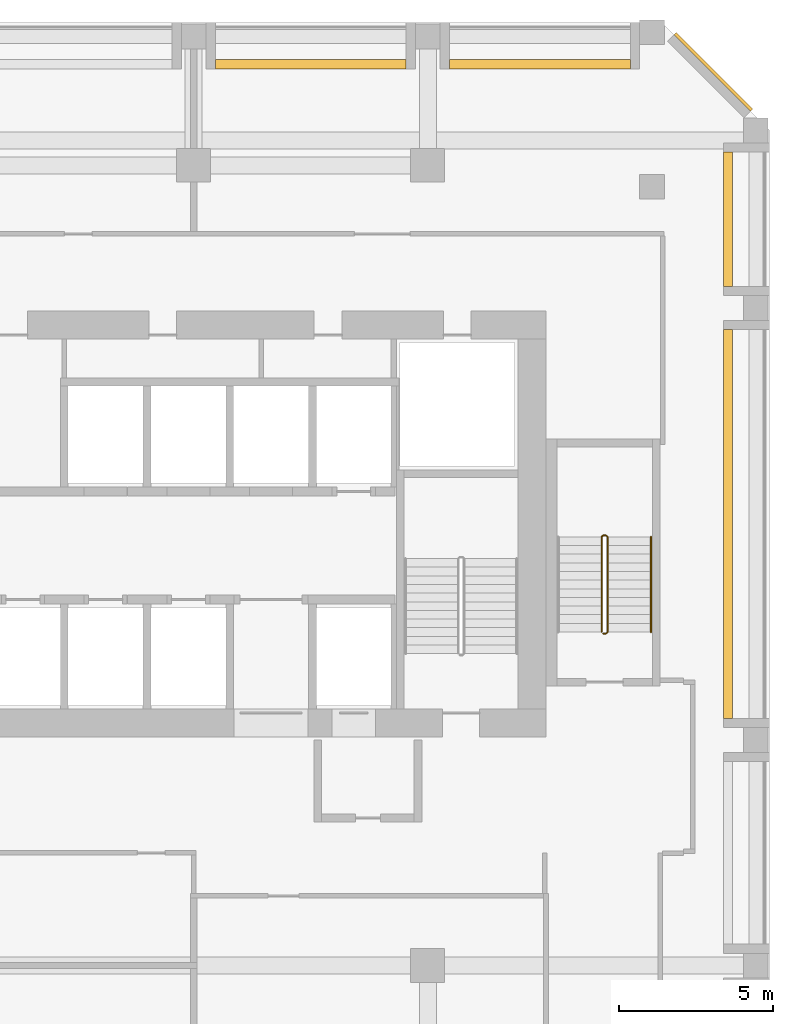
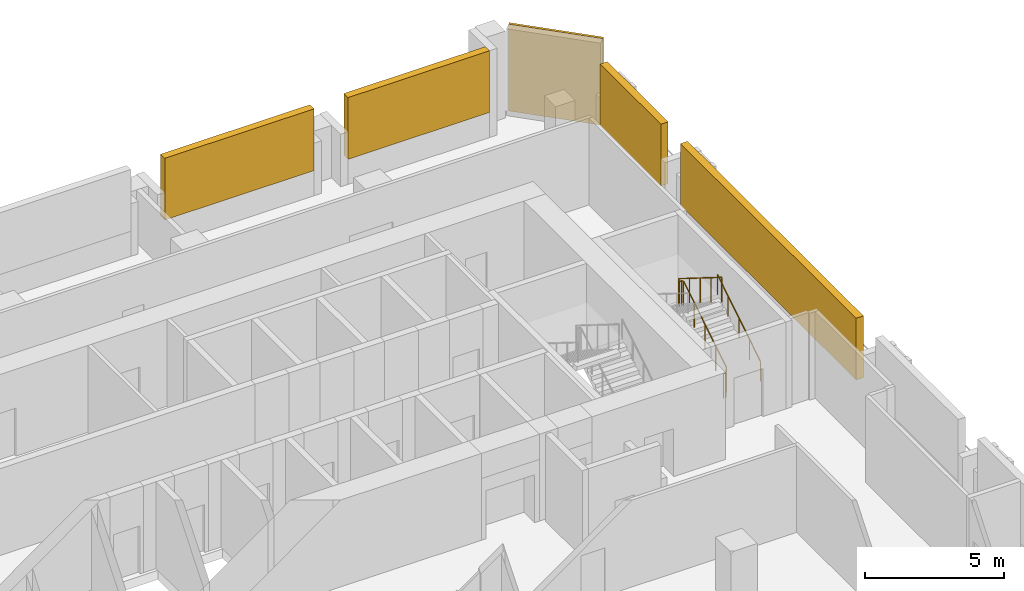
# One storey, part 10 of 10: 5 shading devices, 2 railings.
"""IFC4 building model written with IfcOpenShell, lengths in metres."""

from ifc_helpers import new_model, si_unit, direction, frame, origin, origin_2d, place, context, subcontext, project, spatial, rectangle, circle, extrude, source, transform, mapped, material, layer, layer_set, type_object, element, save


model = new_model("IFC4")

# Units and contexts
model_context = context("Model", 3, precision=1e-05, world=origin(), true_north=direction((0.0, 1.0)))
body_context = subcontext(model_context, "Body", "Model", "MODEL_VIEW")
ifc_project = project(units=[si_unit("LENGTHUNIT", "METRE"), si_unit("AREAUNIT", "SQUARE_METRE"), si_unit("VOLUMEUNIT", "CUBIC_METRE"), si_unit("PLANEANGLEUNIT", "RADIAN"), si_unit("MASSUNIT", "GRAM", prefix="KILO")], contexts=[model_context])

# Site, building, storey
site_placement = place(None, origin())
site = spatial("IfcSite", under=ifc_project, at=site_placement, CompositionType="ELEMENT")
building_placement = place(site_placement, origin())
building = spatial("IfcBuilding", under=site, at=building_placement, Name="Kilnfold Tower and Market Hall", CompositionType="ELEMENT")
storey_placement = place(building_placement, frame((0.0, 0.0, 164.300048828125)))
storey = spatial("IfcBuildingStorey", under=building, at=storey_placement, Name="L38 Plant Transfer Level", CompositionType="ELEMENT", Elevation=164.300048828125)

# Railings
ifc_material_1 = material(Name="Stainless steel 316", Category="steel")
railing_type_1 = type_object("IfcRailingType", Name="CORE STAIR GUARD 1100", PredefinedType="GUARDRAIL", material=ifc_material_1)
railing_1_placement = place(storey_placement, frame((19.85009765625, 11.449951171875, 0.0)))
element("IfcRailing", 1, at=railing_1_placement, inside=storey, type_object=railing_type_1, Name="L38 Plant Transfer Level ST5 stair guard 1", PredefinedType="GUARDRAIL", context=body_context, shape_type="SweptSolid", body=[
    extrude(circle(Radius=0.02392578125, at=origin_2d()), frame((0.0, 0.0, 1.076171875), z_axis=(1.0, 0.0, 0.0), x_axis=(0.0, 1.0, 0.0)), (0.0, 0.0, 1.0), 0.099853515625),
    extrude(circle(Radius=0.02392578125, at=origin_2d()), frame((0.099853515625, 0.0, 1.076171875), z_axis=(0.265065253269, 0.265065253269, 0.927081885822), x_axis=(-0.707106781187, 0.707106781187, 0.0)), (0.0, 0.0, 1.0), 0.188720703125),
    extrude(circle(Radius=0.02392578125, at=origin_2d()), frame((0.14990234375, 0.050048828125, 1.2509765625), z_axis=(0.0, 0.848028513186, 0.529950602248), x_axis=(-1.0, 0.0, 0.0)), (0.0, 0.0, 1.0), 3.632080078125),
    extrude(circle(Radius=0.02392578125, at=origin_2d()), frame((0.14990234375, 3.130126953125, 3.17578125), z_axis=(-0.708833529934, 0.705375805398, 0.0), x_axis=(-0.705375805398, -0.708833529934, 0.0)), (0.0, 0.0, 1.0), 0.070556640625),
    extrude(circle(Radius=0.02392578125, at=origin_2d()), frame((0.099853515625, 3.179931640625, 3.17578125), z_axis=(-1.0, 0.0, 0.0), x_axis=(0.0, -1.0, 0.0)), (0.0, 0.0, 1.0), 0.099853515625),
    extrude(circle(Radius=0.02392578125, at=origin_2d()), frame((0.0, 3.179931640625, 3.17578125), z_axis=(-0.265155923931, -0.263862480399, 0.927399011991), x_axis=(0.705375805398, -0.708833529934, 0.0)), (0.0, 0.0, 1.0), 0.188720703125),
    extrude(circle(Radius=0.02392578125, at=origin_2d()), frame((-0.050048828125, 3.130126953125, 3.35107421875), z_axis=(0.0, -0.847998304005, 0.529998940003), x_axis=(1.0, 0.0, 0.0)), (0.0, 0.0, 1.0), 3.632080078125),
    extrude(circle(Radius=0.02099609375, at=origin_2d()), origin(), (0.0, 0.0, 1.0), 1.052001953125),
    extrude(circle(Radius=0.02099609375, at=origin_2d()), frame((0.099853515625, 0.0, 0.0)), (0.0, 0.0, 1.0), 1.052001953125),
    extrude(circle(Radius=0.02099609375, at=origin_2d()), frame((0.14990234375, 0.050048828125, 0.175048828125)), (0.0, 0.0, 1.0), 1.052001953125),
    extrude(circle(Radius=0.02099609375, at=origin_2d()), frame((0.14990234375, 0.820068359375, 0.65625)), (0.0, 0.0, 1.0), 1.052001953125),
    extrude(circle(Radius=0.02099609375, at=origin_2d()), frame((0.14990234375, 1.590087890625, 1.137451171875)), (0.0, 0.0, 1.0), 1.052001953125),
    extrude(circle(Radius=0.02099609375, at=origin_2d()), frame((0.14990234375, 2.360107421875, 1.61865234375)), (0.0, 0.0, 1.0), 1.052001953125),
    extrude(circle(Radius=0.02099609375, at=origin_2d()), frame((0.14990234375, 3.130126953125, 2.099853515625)), (0.0, 0.0, 1.0), 1.052001953125),
    extrude(circle(Radius=0.02099609375, at=origin_2d()), frame((0.099853515625, 3.179931640625, 2.099853515625)), (0.0, 0.0, 1.0), 1.052001953125),
    extrude(circle(Radius=0.02099609375, at=origin_2d()), frame((0.0, 3.179931640625, 2.099853515625)), (0.0, 0.0, 1.0), 1.052001953125),
    extrude(circle(Radius=0.02099609375, at=origin_2d()), frame((-0.050048828125, 3.130126953125, 2.27490234375)), (0.0, 0.0, 1.0), 1.052001953125),
    extrude(circle(Radius=0.02099609375, at=origin_2d()), frame((-0.050048828125, 2.360107421875, 2.756103515625)), (0.0, 0.0, 1.0), 1.052001953125),
    extrude(circle(Radius=0.02099609375, at=origin_2d()), frame((-0.050048828125, 1.590087890625, 3.2373046875)), (0.0, 0.0, 1.0), 1.052001953125),
    extrude(circle(Radius=0.02099609375, at=origin_2d()), frame((-0.050048828125, 0.820068359375, 3.71875)), (0.0, 0.0, 1.0), 1.052001953125),
    extrude(circle(Radius=0.02099609375, at=origin_2d()), frame((-0.050048828125, 0.050048828125, 4.199951171875)), (0.0, 0.0, 1.0), 1.052001953125),
])
ifc_material_2 = material(Name="Stainless steel 316", Category="steel")
railing_type_2 = type_object("IfcRailingType", Name="CORE STAIR HANDRAIL 900", PredefinedType="HANDRAIL", material=ifc_material_2)
railing_2_placement = place(storey_placement, frame((21.39990234375, 11.5, 0.175048828125)))
element("IfcRailing", 2, at=railing_2_placement, inside=storey, type_object=railing_type_2, Name="L38 Plant Transfer Level ST5 stair handrail 1", PredefinedType="HANDRAIL", context=body_context, shape_type="SweptSolid", body=[
    extrude(circle(Radius=0.02392578125, at=origin_2d()), frame((0.0, 0.0, 0.8759765625), z_axis=(0.0, 0.848028513186, 0.529950602248), x_axis=(-1.0, 0.0, 0.0)), (0.0, 0.0, 1.0), 3.632080078125),
    extrude(circle(Radius=0.02099609375, at=origin_2d()), origin(), (0.0, 0.0, 1.0), 0.851806640625),
    extrude(circle(Radius=0.02099609375, at=origin_2d()), frame((0.0, 0.77001953125, 0.481201171875)), (0.0, 0.0, 1.0), 0.851806640625),
    extrude(circle(Radius=0.02099609375, at=origin_2d()), frame((0.0, 1.5400390625, 0.96240234375)), (0.0, 0.0, 1.0), 0.851806640625),
    extrude(circle(Radius=0.02099609375, at=origin_2d()), frame((0.0, 2.31005859375, 1.443603515625)), (0.0, 0.0, 1.0), 0.851806640625),
    extrude(circle(Radius=0.02099609375, at=origin_2d()), frame((0.0, 3.080078125, 1.9248046875)), (0.0, 0.0, 1.0), 0.851806640625),
])

# Shading devices
ifc_material_3 = material(Name="Anodised aluminium", Category="aluminium")
shading_device_type_1 = type_object("IfcShadingDeviceType", Name="LOUVRE", PredefinedType="JALOUSIE", material=ifc_material_3)
shared_shape_1 = source(origin(), body_context, "Body", "SweptSolid", [
    extrude(rectangle(XDim=6.183349609375, YDim=0.300048828125, at=origin_2d()), origin(), (0.0, 0.0, 1.0), 2.699951171875),
])
shading_device_1_placement = place(storey_placement, frame((10.375, 29.89990234375, 1.10009765625), z_axis=(0.0, 0.0, 1.0), x_axis=(-1.0, 0.0, 0.0)))
element("IfcShadingDevice", 3, at=shading_device_1_placement, inside=storey, type_object=shading_device_type_1, Name="Plant louvre L38 N", ObjectType="LOUVRE", PredefinedType="JALOUSIE", context=body_context, shape_type="MappedRepresentation", body=[
    mapped(shared_shape_1, transform((0.0, 0.0, 0.0))),
])
ifc_material_4 = material(Name="Terracotta", Category="masonry")
ifc_layer = layer(ifc_material_4, 0.10009765625)
ifc_layer_set = layer_set([ifc_layer], Name="Terracotta")
shading_device_type_2 = type_object("IfcShadingDeviceType", Name="TERRACOTTA SCREEN 100", PredefinedType="USERDEFINED", material=ifc_layer_set)
shared_shape_2 = source(origin(), body_context, "Body", "SweptSolid", [
    extrude(rectangle(XDim=3.500244140625, YDim=0.10009765625, at=origin_2d()), origin(), (0.0, 0.0, 1.0), 3.800048828125),
])
shading_device_2_placement = place(storey_placement, frame((23.4228515625, 29.64794921875, 0.0), z_axis=(0.0, 0.0, 1.0), x_axis=(-0.707106781187, 0.707106781187, 0.0)))
element("IfcShadingDevice", 4, at=shading_device_2_placement, inside=storey, type_object=shading_device_type_2, Name="Plant screen L38 NE", ObjectType="SCREEN", PredefinedType="USERDEFINED", context=body_context, shape_type="MappedRepresentation", body=[
    mapped(shared_shape_2, transform((0.0, 0.0, 0.0))),
])
shared_shape_3 = source(origin(), body_context, "Body", "SweptSolid", [
    extrude(rectangle(XDim=12.60009765625, YDim=0.300048828125, at=origin_2d()), origin(), (0.0, 0.0, 1.0), 2.699951171875),
])
shading_device_3_placement = place(storey_placement, frame((23.89990234375, 15.0, 1.10009765625), z_axis=(0.0, 0.0, 1.0), x_axis=(0.0, 1.0, 0.0)))
element("IfcShadingDevice", 5, at=shading_device_3_placement, inside=storey, type_object=shading_device_type_1, Name="Plant louvre L38 E", ObjectType="LOUVRE", PredefinedType="JALOUSIE", context=body_context, shape_type="MappedRepresentation", body=[
    mapped(shared_shape_3, transform((0.0, 0.0, 0.0))),
])
shared_shape_4 = source(origin(), body_context, "Body", "SweptSolid", [
    extrude(rectangle(XDim=4.35009765625, YDim=0.300048828125, at=origin_2d()), origin(), (0.0, 0.0, 1.0), 2.699951171875),
])
shading_device_4_placement = place(storey_placement, frame((23.89990234375, 24.875, 1.10009765625), z_axis=(0.0, 0.0, 1.0), x_axis=(0.0, 1.0, 0.0)))
element("IfcShadingDevice", 6, at=shading_device_4_placement, inside=storey, type_object=shading_device_type_1, Name="Plant louvre L38 E", ObjectType="LOUVRE", PredefinedType="JALOUSIE", context=body_context, shape_type="MappedRepresentation", body=[
    mapped(shared_shape_4, transform((0.0, 0.0, 0.0))),
])
shared_shape_5 = source(origin(), body_context, "Body", "SweptSolid", [
    extrude(rectangle(XDim=5.864990234375, YDim=0.300048828125, at=origin_2d()), origin(), (0.0, 0.0, 1.0), 2.699951171875),
])
shading_device_5_placement = place(storey_placement, frame((17.79931640625, 29.89990234375, 1.10009765625), z_axis=(0.0, 0.0, 1.0), x_axis=(-1.0, 0.0, 0.0)))
element("IfcShadingDevice", 7, at=shading_device_5_placement, inside=storey, type_object=shading_device_type_1, Name="Plant louvre L38 N", ObjectType="LOUVRE", PredefinedType="JALOUSIE", context=body_context, shape_type="MappedRepresentation", body=[
    mapped(shared_shape_5, transform((0.0, 0.0, 0.0))),
])

save(model, "model.ifc")
